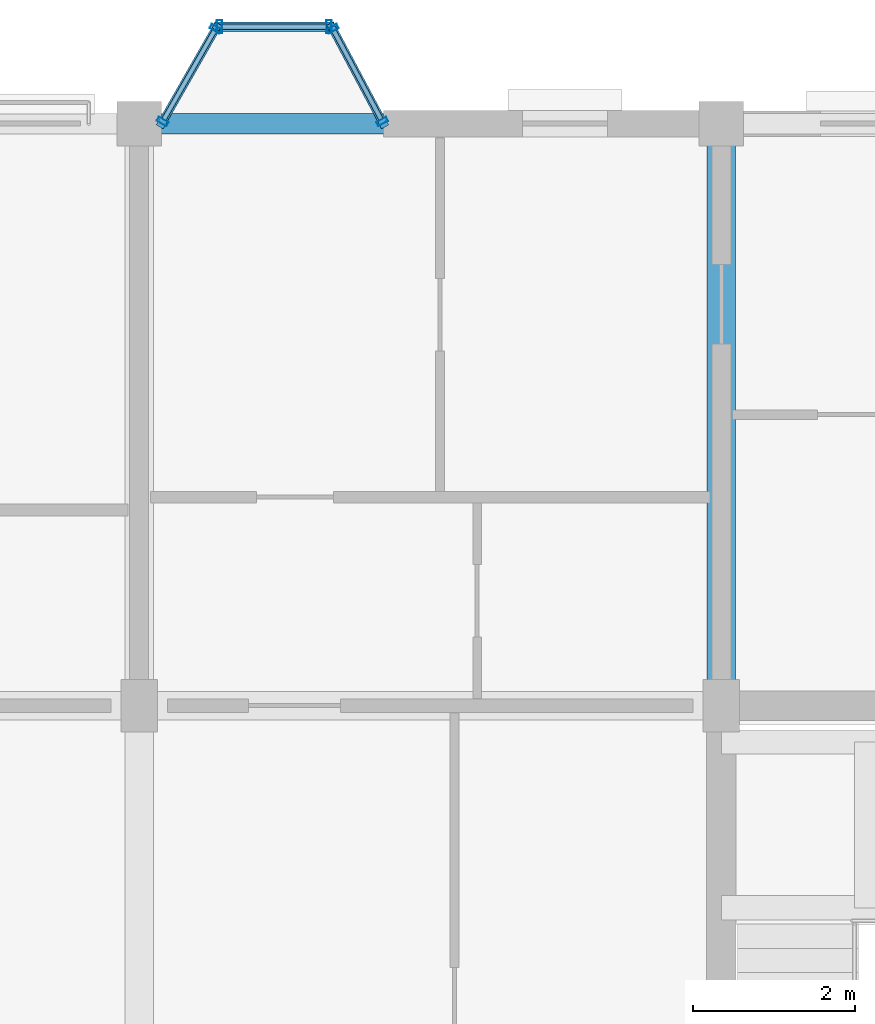
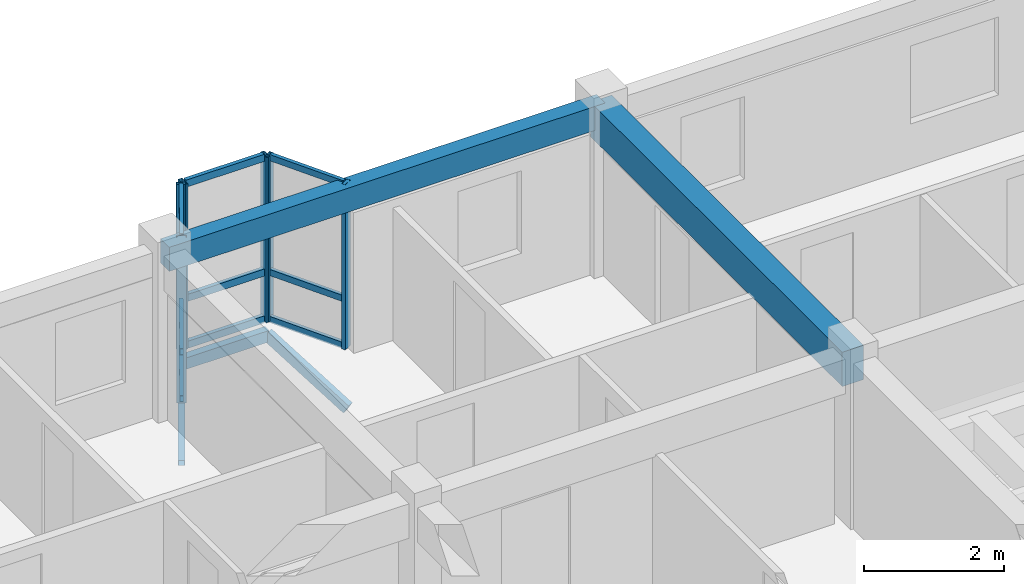
# One storey, part 37 of 75: 18 members, 2 beams, 3 elements without a shape of their own.
"""IFC4 building model written with IfcOpenShell, lengths in metres."""

from ifc_helpers import new_model, si_unit, direction, frame, origin, origin_2d, place, context, subcontext, project, spatial, rectangle, hollow_rectangle, extrude, material, layer, layer_set, material_profile, profile_set, type_object, element, aggregate, save


model = new_model("IFC4")

# Units and contexts
model_context = context("Model", 3, precision=1e-05, world=origin(), true_north=direction((0.0, 1.0)))
body_context = subcontext(model_context, "Body", "Model", "MODEL_VIEW")
ifc_project = project(units=[si_unit("LENGTHUNIT", "METRE"), si_unit("AREAUNIT", "SQUARE_METRE"), si_unit("VOLUMEUNIT", "CUBIC_METRE"), si_unit("PLANEANGLEUNIT", "RADIAN"), si_unit("MASSUNIT", "GRAM", prefix="KILO"), si_unit("THERMODYNAMICTEMPERATUREUNIT", "KELVIN"), si_unit("POWERUNIT", "WATT")], contexts=[model_context])

# Site, building, storey
site_placement = place(None, origin())
site = spatial("IfcSite", under=ifc_project, at=site_placement, CompositionType="ELEMENT")
building_placement = place(site_placement, origin())
building = spatial("IfcBuilding", under=site, at=building_placement, Name="Tavuni Mirador Residences", CompositionType="ELEMENT")
storey_placement = place(building_placement, frame((0.0, 0.0, 20.25)))
storey = spatial("IfcBuildingStorey", under=building, at=storey_placement, Name="L06", CompositionType="ELEMENT", Elevation=20.25)

# Beams
ifc_material_1 = material(Name="Precast concrete C40/50", Category="concrete")
ifc_material_profile_1 = material_profile(ifc_material_1, rectangle(XDim=0.35009765625, YDim=0.60009765625, at=origin_2d()), Name="PC 350x600", Category="concrete")
ifc_profile_set_1 = profile_set([ifc_material_profile_1], Name="Precast concrete C40/50")
beam_type_1 = type_object("IfcBeamType", Name="BT-B600", PredefinedType="BEAM", material=ifc_profile_set_1)
beam_1_placement = place(storey_placement, frame((25.199951171875, 165.60009765625, 2.5849609375), z_axis=(0.0, 1.0, 0.0), x_axis=(-1.0, 0.0, 0.0)))
element("IfcBeam", 1, at=beam_1_placement, inside=storey, type_object=beam_type_1, Name="BMY-BLK-C-L06-02-03", PredefinedType="BEAM", context=body_context, shape_type="SweptSolid", body=[
    extrude(rectangle(XDim=0.35009765625, YDim=0.60009765625, at=origin_2d()), origin(), (0.0, 0.0, 1.0), 7.199951171875),
])
ifc_material_profile_2 = material_profile(ifc_material_1, rectangle(XDim=0.25, YDim=0.419921875, at=origin_2d()), Name="PC 250x420", Category="concrete")
ifc_profile_set_2 = profile_set([ifc_material_profile_2], Name="Precast concrete C40/50")
beam_type_2 = type_object("IfcBeamType", Name="BT-SP420", PredefinedType="SPANDREL", material=ifc_profile_set_2)
beam_2_placement = place(storey_placement, frame((18.0, 172.800048828125, 2.675048828125), z_axis=(1.0, 0.0, 0.0), x_axis=(0.0, 1.0, 0.0)))
element("IfcBeam", 2, at=beam_2_placement, inside=storey, type_object=beam_type_2, Name="BMX-BLK-C-L06-01-04", PredefinedType="SPANDREL", context=body_context, shape_type="SweptSolid", body=[
    extrude(rectangle(XDim=0.25, YDim=0.419921875, at=origin_2d()), origin(), (0.0, 0.0, 1.0), 7.199951171875),
])

# Curtain wall, members
ifc_material_2 = material(Name="Anodised aluminium", Category="aluminium")
ifc_layer_1 = layer(ifc_material_2, 0.1650390625, Name="Anodised aluminium", Category="aluminium")
ifc_layer_set_1 = layer_set([ifc_layer_1], Name="Anodised aluminium")
curtain_wall_type_1 = type_object("IfcCurtainWallType", Name="CWT-MIR-A", PredefinedType="NOTDEFINED", material=ifc_layer_set_1)
curtain_wall_1_placement = place(storey_placement, origin())
curtain_wall_1 = element("IfcCurtainWall", 3, at=curtain_wall_1_placement, inside=storey, type_object=curtain_wall_type_1, Name="CW-MIR-C-N1-L06-M1", PredefinedType="NOTDEFINED")
ifc_material_profile_3 = material_profile(ifc_material_2, hollow_rectangle(XDim=0.06005859375, YDim=0.139892578125, WallThickness=0.00390625, at=origin_2d()), Name="ALU 60x140x4.0", Category="aluminium")
ifc_profile_set_3 = profile_set([ifc_material_profile_3], Name="Anodised aluminium")
member_type_1 = type_object("IfcMemberType", Name="CWM-140", PredefinedType="MULLION", material=ifc_profile_set_3)
member_1_placement = place(storey_placement, frame((21.005859375, 172.826416015625, 0.0), z_axis=(0.0, 0.0, 1.0), x_axis=(-0.470588235296, 0.882352941175, 0.0)))
member_1 = element("IfcMember", 4, at=member_1_placement, type_object=member_type_1, Name="CW-01 mullion 1", PredefinedType="MULLION", context=body_context, shape_type="SweptSolid", body=[
    extrude(hollow_rectangle(XDim=0.06005859375, YDim=0.139892578125, WallThickness=0.00390625, at=origin_2d()), origin(), (0.0, 0.0, 1.0), 2.885009765625),
])
member_2_placement = place(storey_placement, frame((20.39404296875, 173.9736328125, 0.0), z_axis=(0.0, 0.0, 1.0), x_axis=(-0.470588235296, 0.882352941175, 0.0)))
member_2 = element("IfcMember", 5, at=member_2_placement, type_object=member_type_1, Name="CW-01 mullion 2", PredefinedType="MULLION", context=body_context, shape_type="SweptSolid", body=[
    extrude(hollow_rectangle(XDim=0.06005859375, YDim=0.139892578125, WallThickness=0.00390625, at=origin_2d()), origin(), (0.0, 0.0, 1.0), 2.885009765625),
])

ifc_layer_2 = layer(ifc_material_2, 0.175048828125, Name="Anodised aluminium", Category="aluminium")
ifc_layer_set_2 = layer_set([ifc_layer_2], Name="Anodised aluminium")
curtain_wall_type_2 = type_object("IfcCurtainWallType", Name="CWT-MIR-C", PredefinedType="NOTDEFINED", material=ifc_layer_set_2)
curtain_wall_2_placement = place(storey_placement, origin())
curtain_wall_2 = element("IfcCurtainWall", 6, at=curtain_wall_2_placement, inside=storey, type_object=curtain_wall_type_2, Name="CW-MIR-C-N1-L06-M2", PredefinedType="NOTDEFINED")
member_3_placement = place(storey_placement, frame((18.945068359375, 173.973876953125, 0.0), z_axis=(0.0, 0.0, 1.0), x_axis=(-0.495749192217, -0.868465738194, 0.0)))
member_3 = element("IfcMember", 7, at=member_3_placement, type_object=member_type_1, Name="CW-03 mullion 1", PredefinedType="MULLION", context=body_context, shape_type="SweptSolid", body=[
    extrude(hollow_rectangle(XDim=0.06005859375, YDim=0.139892578125, WallThickness=0.00390625, at=origin_2d()), origin(), (0.0, 0.0, 1.0), 2.885009765625),
])
member_4_placement = place(storey_placement, frame((18.289794921875, 172.826171875, 0.0), z_axis=(0.0, 0.0, 1.0), x_axis=(-0.495749192217, -0.868465738194, 0.0)))
member_4 = element("IfcMember", 8, at=member_4_placement, type_object=member_type_1, Name="CW-03 mullion 2", PredefinedType="MULLION", context=body_context, shape_type="SweptSolid", body=[
    extrude(hollow_rectangle(XDim=0.06005859375, YDim=0.139892578125, WallThickness=0.00390625, at=origin_2d()), origin(), (0.0, 0.0, 1.0), 2.885009765625),
])

ifc_layer_3 = layer(ifc_material_2, 0.14990234375, Name="Anodised aluminium", Category="aluminium")
ifc_layer_set_3 = layer_set([ifc_layer_3], Name="Anodised aluminium")
curtain_wall_type_3 = type_object("IfcCurtainWallType", Name="CWT-MIR-B", PredefinedType="NOTDEFINED", material=ifc_layer_set_3)
curtain_wall_3_placement = place(storey_placement, origin())
curtain_wall_3 = element("IfcCurtainWall", 9, at=curtain_wall_3_placement, inside=storey, type_object=curtain_wall_type_3, Name="CW-MIR-C-N1-L06-MF", PredefinedType="NOTDEFINED")
ifc_material_profile_4 = material_profile(ifc_material_2, hollow_rectangle(XDim=0.06494140625, YDim=0.1650390625, WallThickness=0.00439453125, at=origin_2d()), Name="ALU 65x165x4.5", Category="aluminium")
ifc_profile_set_4 = profile_set([ifc_material_profile_4], Name="Anodised aluminium")
member_type_2 = type_object("IfcMemberType", Name="CWM-165", PredefinedType="MULLION", material=ifc_profile_set_4)
member_5_placement = place(storey_placement, frame((20.347412109375, 174.0, 0.0), z_axis=(0.0, 0.0, 1.0), x_axis=(-1.0, 0.0, 0.0)))
member_5 = element("IfcMember", 10, at=member_5_placement, type_object=member_type_2, Name="CW-02 mullion 1", PredefinedType="MULLION", context=body_context, shape_type="SweptSolid", body=[
    extrude(hollow_rectangle(XDim=0.06494140625, YDim=0.1650390625, WallThickness=0.00439453125, at=origin_2d()), origin(), (0.0, 0.0, 1.0), 2.885009765625),
])
member_6_placement = place(storey_placement, frame((18.992431640625, 174.0, 0.0), z_axis=(0.0, 0.0, 1.0), x_axis=(-1.0, 0.0, 0.0)))
member_6 = element("IfcMember", 11, at=member_6_placement, type_object=member_type_2, Name="CW-02 mullion 2", PredefinedType="MULLION", context=body_context, shape_type="SweptSolid", body=[
    extrude(hollow_rectangle(XDim=0.06494140625, YDim=0.1650390625, WallThickness=0.00439453125, at=origin_2d()), origin(), (0.0, 0.0, 1.0), 2.885009765625),
])

# Member
ifc_material_profile_5 = material_profile(ifc_material_2, hollow_rectangle(XDim=0.06005859375, YDim=0.110107421875, WallThickness=0.00390625, at=origin_2d()), Name="ALU 60x110x4.0", Category="aluminium")
ifc_profile_set_5 = profile_set([ifc_material_profile_5], Name="Anodised aluminium")
member_type_3 = type_object("IfcMemberType", Name="CWT-110", PredefinedType="USERDEFINED", material=ifc_profile_set_5)
member_7_placement = place(storey_placement, frame((20.99169921875, 172.85302734375, 0.030029296875), z_axis=(-0.470608675382, 0.882342039492, 0.0), x_axis=(-0.882342039492, -0.470608675382, 0.0)))
member_7 = element("IfcMember", 12, at=member_7_placement, type_object=member_type_3, Name="CW-01 transom 1.1", ObjectType="TRANSOM", PredefinedType="USERDEFINED", context=body_context, shape_type="SweptSolid", body=[
    extrude(hollow_rectangle(XDim=0.06005859375, YDim=0.110107421875, WallThickness=0.00390625, at=origin_2d()), origin(), (0.0, 0.0, 1.0), 1.239990234375),
])

member_8_placement = place(storey_placement, frame((20.99169921875, 172.85302734375, 0.85009765625), z_axis=(-0.470608675382, 0.882342039492, 0.0), x_axis=(-0.882342039492, -0.470608675382, 0.0)))
member_8 = element("IfcMember", 13, at=member_8_placement, type_object=member_type_3, Name="CW-01 transom 1.2", ObjectType="TRANSOM", PredefinedType="USERDEFINED", context=body_context, shape_type="SweptSolid", body=[
    extrude(hollow_rectangle(XDim=0.06005859375, YDim=0.110107421875, WallThickness=0.00390625, at=origin_2d()), origin(), (0.0, 0.0, 1.0), 1.239990234375),
])

member_9_placement = place(storey_placement, frame((20.99169921875, 172.85302734375, 2.85498046875), z_axis=(-0.470608675382, 0.882342039492, 0.0), x_axis=(-0.882342039492, -0.470608675382, 0.0)))
member_9 = element("IfcMember", 14, at=member_9_placement, type_object=member_type_3, Name="CW-01 transom 1.3", ObjectType="TRANSOM", PredefinedType="USERDEFINED", context=body_context, shape_type="SweptSolid", body=[
    extrude(hollow_rectangle(XDim=0.06005859375, YDim=0.110107421875, WallThickness=0.00390625, at=origin_2d()), origin(), (0.0, 0.0, 1.0), 1.239990234375),
])

aggregate(curtain_wall_1, [member_1, member_2, member_7, member_8, member_9])

member_10_placement = place(storey_placement, frame((18.93017578125, 173.947998046875, 0.030029296875), z_axis=(-0.49568048457, -0.868504955205, 0.0), x_axis=(0.868504955205, -0.49568048457, 0.0)))
member_10 = element("IfcMember", 15, at=member_10_placement, type_object=member_type_3, Name="CW-03 transom 1.1", ObjectType="TRANSOM", PredefinedType="USERDEFINED", context=body_context, shape_type="SweptSolid", body=[
    extrude(hollow_rectangle(XDim=0.06005859375, YDim=0.110107421875, WallThickness=0.00390625, at=origin_2d()), origin(), (0.0, 0.0, 1.0), 1.261962890625),
])

member_11_placement = place(storey_placement, frame((18.93017578125, 173.947998046875, 0.85009765625), z_axis=(-0.49568048457, -0.868504955205, 0.0), x_axis=(0.868504955205, -0.49568048457, 0.0)))
member_11 = element("IfcMember", 16, at=member_11_placement, type_object=member_type_3, Name="CW-03 transom 1.2", ObjectType="TRANSOM", PredefinedType="USERDEFINED", context=body_context, shape_type="SweptSolid", body=[
    extrude(hollow_rectangle(XDim=0.06005859375, YDim=0.110107421875, WallThickness=0.00390625, at=origin_2d()), origin(), (0.0, 0.0, 1.0), 1.261962890625),
])

member_12_placement = place(storey_placement, frame((18.93017578125, 173.947998046875, 2.85498046875), z_axis=(-0.49568048457, -0.868504955205, 0.0), x_axis=(0.868504955205, -0.49568048457, 0.0)))
member_12 = element("IfcMember", 17, at=member_12_placement, type_object=member_type_3, Name="CW-03 transom 1.3", ObjectType="TRANSOM", PredefinedType="USERDEFINED", context=body_context, shape_type="SweptSolid", body=[
    extrude(hollow_rectangle(XDim=0.06005859375, YDim=0.110107421875, WallThickness=0.00390625, at=origin_2d()), origin(), (0.0, 0.0, 1.0), 1.261962890625),
])

aggregate(curtain_wall_2, [member_3, member_4, member_10, member_11, member_12])

ifc_material_profile_6 = material_profile(ifc_material_2, hollow_rectangle(XDim=0.06494140625, YDim=0.125, WallThickness=0.00439453125, at=origin_2d()), Name="ALU 65x125x4.5", Category="aluminium")
ifc_profile_set_6 = profile_set([ifc_material_profile_6], Name="Anodised aluminium")
member_type_4 = type_object("IfcMemberType", Name="CWT-125", PredefinedType="USERDEFINED", material=ifc_profile_set_6)
member_13_placement = place(storey_placement, frame((20.31494140625, 174.0, 0.032470703125), z_axis=(-1.0, 0.0, 0.0), x_axis=(0.0, -1.0, 0.0)))
member_13 = element("IfcMember", 18, at=member_13_placement, type_object=member_type_4, Name="CW-02 transom 1.1", ObjectType="TRANSOM", PredefinedType="USERDEFINED", context=body_context, shape_type="SweptSolid", body=[
    extrude(hollow_rectangle(XDim=0.06494140625, YDim=0.125, WallThickness=0.00439453125, at=origin_2d()), origin(), (0.0, 0.0, 1.0), 1.2900390625),
])

member_14_placement = place(storey_placement, frame((20.31494140625, 174.0, 0.85009765625), z_axis=(-1.0, 0.0, 0.0), x_axis=(0.0, -1.0, 0.0)))
member_14 = element("IfcMember", 19, at=member_14_placement, type_object=member_type_4, Name="CW-02 transom 1.2", ObjectType="TRANSOM", PredefinedType="USERDEFINED", context=body_context, shape_type="SweptSolid", body=[
    extrude(hollow_rectangle(XDim=0.06494140625, YDim=0.125, WallThickness=0.00439453125, at=origin_2d()), origin(), (0.0, 0.0, 1.0), 1.2900390625),
])

member_15_placement = place(storey_placement, frame((20.31494140625, 174.0, 2.8525390625), z_axis=(-1.0, 0.0, 0.0), x_axis=(0.0, -1.0, 0.0)))
member_15 = element("IfcMember", 20, at=member_15_placement, type_object=member_type_4, Name="CW-02 transom 1.3", ObjectType="TRANSOM", PredefinedType="USERDEFINED", context=body_context, shape_type="SweptSolid", body=[
    extrude(hollow_rectangle(XDim=0.06494140625, YDim=0.125, WallThickness=0.00439453125, at=origin_2d()), origin(), (0.0, 0.0, 1.0), 1.2900390625),
])

aggregate(curtain_wall_3, [member_5, member_6, member_13, member_14, member_15])

# Members
ifc_material_3 = material(Name="Structural steel S355", Category="steel")
ifc_material_profile_7 = material_profile(ifc_material_3, hollow_rectangle(XDim=0.10009765625, YDim=0.179931640625, WallThickness=0.008056640625, at=origin_2d()), Name="RHS 180x100x8.0", Category="steel")
ifc_profile_set_7 = profile_set([ifc_material_profile_7], Name="Structural steel S355")
member_type_5 = type_object("IfcMemberType", Name="MT-BR-RHS180", PredefinedType="BRACE", material=ifc_profile_set_7)
member_16_placement = place(storey_placement, frame((18.27490234375, 172.800048828125, -1.050048828125), z_axis=(0.431062666154, 0.755050963701, 0.494047588863), x_axis=(-0.868438794398, 0.495796390047, 0.0)))
element("IfcMember", 21, at=member_16_placement, inside=storey, type_object=member_type_5, Name="MBRK-MIR-C-N1-L06-1", PredefinedType="BRACE", context=body_context, shape_type="SweptSolid", body=[
    extrude(hollow_rectangle(XDim=0.10009765625, YDim=0.179931640625, WallThickness=0.008056640625, at=origin_2d()), origin(), (0.0, 0.0, 1.0), 1.589111328125),
])
member_17_placement = place(storey_placement, frame((21.02001953125, 172.800048828125, -1.050048828125), z_axis=(-0.4076288534, 0.764109769055, 0.499974978084), x_axis=(-0.882303244255, -0.470681405175, 0.0)))
element("IfcMember", 22, at=member_17_placement, inside=storey, type_object=member_type_5, Name="MBRK-MIR-C-N1-L06-2", PredefinedType="BRACE", context=body_context, shape_type="SweptSolid", body=[
    extrude(hollow_rectangle(XDim=0.10009765625, YDim=0.179931640625, WallThickness=0.008056640625, at=origin_2d()), origin(), (0.0, 0.0, 1.0), 1.5703125),
])
ifc_material_profile_8 = material_profile(ifc_material_3, hollow_rectangle(XDim=0.1201171875, YDim=0.199951171875, WallThickness=0.010009765625, at=origin_2d()), Name="RHS 200x120x10.0", Category="steel")
ifc_profile_set_8 = profile_set([ifc_material_profile_8], Name="Structural steel S355")
member_type_6 = type_object("IfcMemberType", Name="MT-ST-RHS200", PredefinedType="STRUT", material=ifc_profile_set_8)
member_18_placement = place(storey_placement, frame((18.9599609375, 174.0, -0.264892578125), z_axis=(1.0, 0.0, 0.0), x_axis=(0.0, 1.0, 0.0)))
element("IfcMember", 23, at=member_18_placement, inside=storey, type_object=member_type_6, Name="MRIM-MIR-C-N1-L06", PredefinedType="STRUT", context=body_context, shape_type="SweptSolid", body=[
    extrude(hollow_rectangle(XDim=0.1201171875, YDim=0.199951171875, WallThickness=0.010009765625, at=origin_2d()), origin(), (0.0, 0.0, 1.0), 1.419921875),
])

save(model, "model.ifc")
